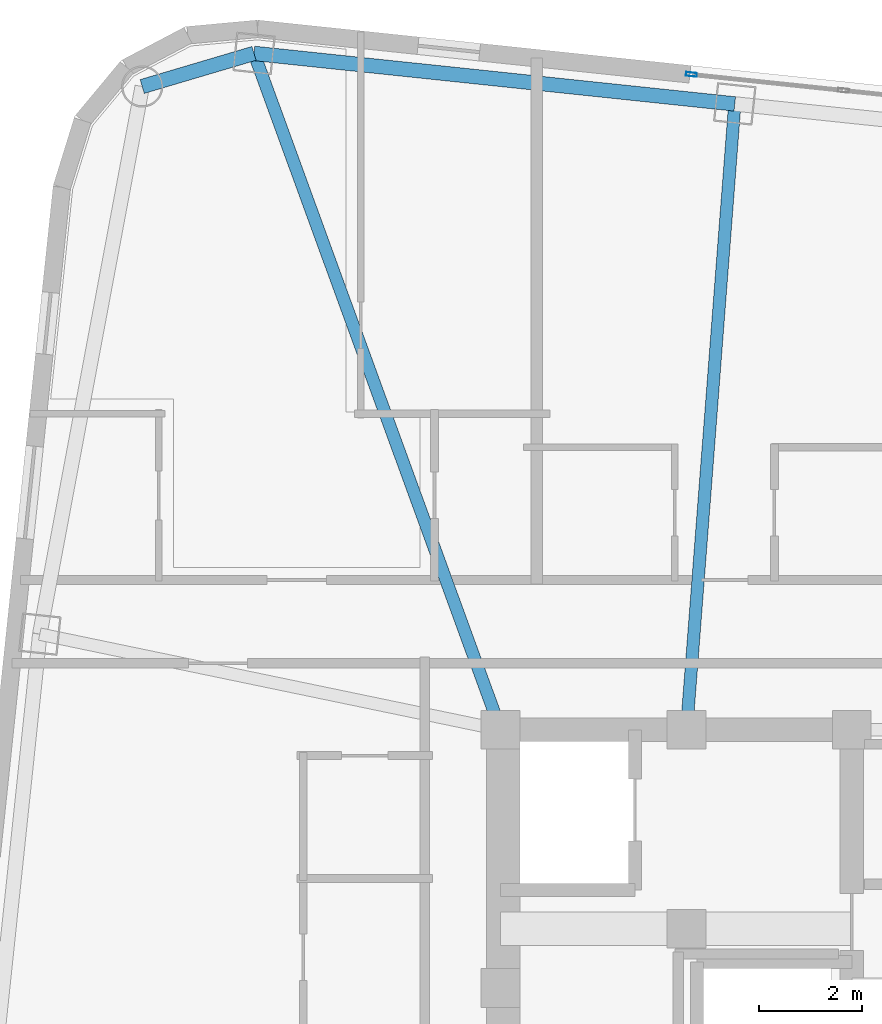
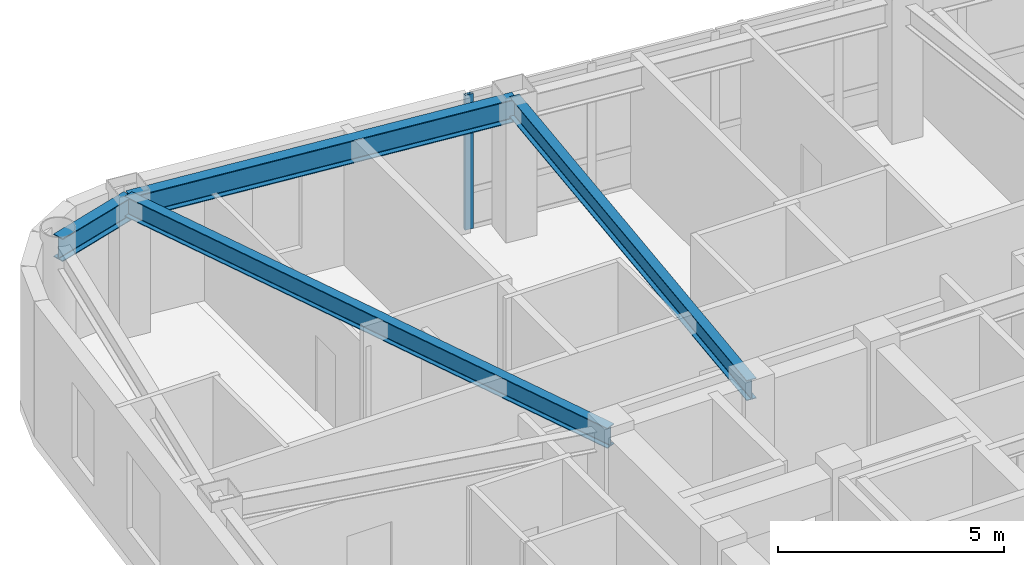
# One storey, part 2 of 16: 4 beams, 1 member, 1 element without a shape of its own.
"""IFC4 building model written with IfcOpenShell, lengths in metres."""

import ifcopenshell
import ifcopenshell.guid

model = None  # the IFC model being written
_history = None  # IfcOwnerHistory: only IFC2X3 demands one
_inside = {}  # id of a spatial element -> (the spatial element, [elements in it])
_under = {}  # id of a project, library or spatial element -> (it, [spatial elements below it])
_declared = {}  # id of a project -> (the project, [libraries it declares])
_typed = {}  # id of a type object -> (the type object, [elements of that type])
_made_of = {}  # id of a material, layer set ... -> (it, [elements and type objects made of it])


def new_model(schema):
    """Start an empty IFC model of exactly this schema.

    Asked for "IFC4X3", IfcOpenShell would pick the latest addendum, in which some entities
    have other attributes; the version numbers below select the first issue.
    IFC2X3 requires an IfcOwnerHistory on every rooted entity: one is made here for all.
    """
    global model, _history
    if schema == "IFC4X3":
        model = ifcopenshell.file(schema_version=(4, 3, 0, 0))
    else:
        model = ifcopenshell.file(schema=schema)
    _inside.clear()
    _under.clear()
    _declared.clear()
    _typed.clear()
    _made_of.clear()
    _history = None
    if model.schema == "IFC2X3":
        org = make("IfcOrganization", Name="unknown")
        user = make(
            "IfcPersonAndOrganization",
            ThePerson=make("IfcPerson", FamilyName="unknown"),
            TheOrganization=org,
        )
        app = make(
            "IfcApplication",
            ApplicationDeveloper=org,
            Version="unknown",
            ApplicationFullName="unknown",
            ApplicationIdentifier="unknown",
        )
        _history = make(
            "IfcOwnerHistory",
            OwningUser=user,
            OwningApplication=app,
            ChangeAction="ADDED",
            CreationDate=0,
        )
    return model


def make(cls, **values):
    """One entity of the class cls with the attributes given. An attribute that is None is left unset."""
    return model.create_entity(
        cls, **{name: value for name, value in values.items() if value is not None}
    )


def rooted(cls, **values):
    """An entity with a GlobalId (a new one), such as an element, a storey or a relation."""
    return make(cls, GlobalId=ifcopenshell.guid.new(), OwnerHistory=_history, **values)


def si_unit(unit_type, name, prefix=None):
    """IfcSIUnit, for example si_unit("LENGTHUNIT", "METRE", prefix="MILLI")."""
    return make("IfcSIUnit", UnitType=unit_type, Prefix=prefix, Name=name)


def assignment(units):
    """IfcUnitAssignment: the units of a project."""
    return None if units is None else make("IfcUnitAssignment", Units=units)


def point(xyz):
    """IfcCartesianPoint."""
    return None if xyz is None else make("IfcCartesianPoint", Coordinates=xyz)


def direction(xyz):
    """IfcDirection."""
    return None if xyz is None else make("IfcDirection", DirectionRatios=xyz)


def frame(location, z_axis=None, x_axis=None):
    """IfcAxis2Placement3D, a coordinate frame: its origin and axes. An axis left out is left unset."""
    return make(
        "IfcAxis2Placement3D",
        Location=point(location),
        Axis=direction(z_axis),
        RefDirection=direction(x_axis),
    )


def frame_2d(location, x_axis=None):
    """IfcAxis2Placement2D, a coordinate frame in the plane: its origin and x axis."""
    return make(
        "IfcAxis2Placement2D", Location=point(location), RefDirection=direction(x_axis)
    )


def origin():
    """The frame at (0, 0, 0) with its axes left unset."""
    return frame((0.0, 0.0, 0.0))


def origin_2d():
    """The frame at (0, 0) in the plane with its x axis left unset."""
    return frame_2d((0.0, 0.0))


def place(relative_to, where):
    """IfcLocalPlacement: puts the frame where relative to a parent placement (None: the world)."""
    return make(
        "IfcLocalPlacement", PlacementRelTo=relative_to, RelativePlacement=where
    )


def context(
    kind, dimensions, precision=None, world=None, true_north=None, identifier=None
):
    """IfcGeometricRepresentationContext, for example the 3D "Model" context."""
    return make(
        "IfcGeometricRepresentationContext",
        ContextIdentifier=identifier,
        ContextType=kind,
        CoordinateSpaceDimension=dimensions,
        Precision=precision,
        WorldCoordinateSystem=world,
        TrueNorth=true_north,
    )


def subcontext(parent, identifier, kind, view, scale=None):
    """IfcGeometricRepresentationSubContext, for example "Body" below "Model"."""
    return make(
        "IfcGeometricRepresentationSubContext",
        ContextIdentifier=identifier,
        ContextType=kind,
        ParentContext=parent,
        TargetScale=scale,
        TargetView=view,
    )


def project(units=None, contexts=None):
    """IfcProject with its units and contexts."""
    return rooted(
        "IfcProject",
        Name="project",
        RepresentationContexts=contexts,
        UnitsInContext=assignment(units),
    )


def spatial(cls, under=None, at=None, **own):
    """A site, building, storey or space (cls), placed at a placement, below another one or the project."""
    s = rooted(cls, ObjectPlacement=at, **own)
    if under is not None:
        _under.setdefault(under.id(), (under, []))[1].append(s)
    return s


def profile(cls, at=None, kind="AREA", **sizes):
    """A parametric profile (cls). Its sizes go by their IFC names, for example OverallWidth=200.0."""
    return make(cls, ProfileType=kind, Position=at, **sizes)


def hollow_rectangle(**sizes):
    """IfcRectangleHollowProfileDef."""
    return profile("IfcRectangleHollowProfileDef", **sizes)


def i_section(**sizes):
    """IfcIShapeProfileDef."""
    return profile("IfcIShapeProfileDef", **sizes)


def extrude(swept, where, along, depth):
    """IfcExtrudedAreaSolid: the profile swept, set in the frame where, extruded along a direction by depth."""
    return make(
        "IfcExtrudedAreaSolid",
        SweptArea=swept,
        Position=where,
        ExtrudedDirection=direction(along),
        Depth=depth,
    )


def shape(context_of_items, identifier, shape_type, items):
    """IfcShapeRepresentation: the items that make up one representation, for example the "Body"."""
    return make(
        "IfcShapeRepresentation",
        ContextOfItems=context_of_items,
        RepresentationIdentifier=identifier,
        RepresentationType=shape_type,
        Items=items,
    )


def material(Name=None, Category=None):
    """IfcMaterial."""
    return make("IfcMaterial", Name=Name, Category=Category)


def layer(
    of_material, thickness, ventilated=None, Name=None, Category=None, Priority=None
):
    """IfcMaterialLayer: one layer of a wall or slab, of a material (None: an air gap)."""
    return make(
        "IfcMaterialLayer",
        Material=of_material,
        LayerThickness=thickness,
        IsVentilated=ventilated,
        Name=Name,
        Category=Category,
        Priority=Priority,
    )


def layer_set(layers, Name=None):
    """IfcMaterialLayerSet."""
    return make("IfcMaterialLayerSet", MaterialLayers=layers, LayerSetName=Name)


def material_profile(
    of_material, cross_section, Name=None, Category=None, Priority=None
):
    """IfcMaterialProfile: a cross section and its material."""
    return make(
        "IfcMaterialProfile",
        Name=Name,
        Material=of_material,
        Profile=cross_section,
        Priority=Priority,
        Category=Category,
    )


def profile_set(profiles, Name=None, composite=None):
    """IfcMaterialProfileSet."""
    return make(
        "IfcMaterialProfileSet",
        Name=Name,
        MaterialProfiles=profiles,
        CompositeProfile=composite,
    )


def made_of(thing, what):
    """Note that an element or type object is made of a material, layer set ...; save() writes the relation."""
    if what is not None:
        _made_of.setdefault(what.id(), (what, []))[1].append(thing)
    return thing


def type_object(cls, material=None, **own):
    """A type object (cls), such as IfcWallType, which elements share."""
    return made_of(rooted(cls, **own), material)


def element(
    cls,
    number,
    at=None,
    inside=None,
    cuts=None,
    type_object=None,
    material=None,
    context=None,
    identifier="Body",
    shape_type=None,
    held_by="IfcProductDefinitionShape",
    body=None,
    shapes=None,
    **own,
):
    """One element of the class cls, such as IfcWall. Its Tag is "e" and its number.

    at: its placement. inside: the storey or other place that contains it. cuts: it is an
    opening in that element (IfcRelVoidsElement). A single representation is given by context,
    identifier, shape_type and body (its items); several are given by shapes. held_by: the class
    of the entity that holds the representations. save() writes the other relations.
    """
    e = rooted(cls, Tag="e%d" % number, ObjectPlacement=at, **own)
    if body is not None:
        shapes = [shape(context, identifier, shape_type, body)]
    if shapes is not None:
        e.Representation = make(held_by, Representations=shapes)
    if inside is not None:
        _inside.setdefault(inside.id(), (inside, []))[1].append(e)
    if cuts is not None:
        rooted(
            "IfcRelVoidsElement", RelatingBuildingElement=cuts, RelatedOpeningElement=e
        )
    if type_object is not None:
        _typed.setdefault(type_object.id(), (type_object, []))[1].append(e)
    return made_of(e, material)


def aggregate(whole, parts):
    """IfcRelAggregates: a whole, such as a stair, and the parts it consists of."""
    return rooted("IfcRelAggregates", RelatingObject=whole, RelatedObjects=parts)


def save(model, path):
    """Write the relations noted so far, then the file.

    IfcRelAggregates (storeys below a building ...), IfcRelContainedInSpatialStructure (elements
    in a storey), IfcRelDefinesByType, IfcRelAssociatesMaterial and IfcRelDeclares: one each for
    every whole, place, type object, material and project.
    """
    for whole, parts in _under.values():
        aggregate(whole, parts)
    for where, things in _inside.values():
        rooted(
            "IfcRelContainedInSpatialStructure",
            RelatedElements=things,
            RelatingStructure=where,
        )
    for kind, things in _typed.values():
        rooted("IfcRelDefinesByType", RelatedObjects=things, RelatingType=kind)
    for what, things in _made_of.values():
        rooted("IfcRelAssociatesMaterial", RelatedObjects=things, RelatingMaterial=what)
    for by, libraries in _declared.values():
        rooted("IfcRelDeclares", RelatingContext=by, RelatedDefinitions=libraries)
    model.write(path)


model = new_model("IFC4")

# Units and contexts
model_context = context("Model", 3, precision=1e-05, world=origin(), true_north=direction((0.0, 1.0)))
body_context = subcontext(model_context, "Body", "Model", "MODEL_VIEW")
ifc_project = project(units=[si_unit("LENGTHUNIT", "METRE"), si_unit("AREAUNIT", "SQUARE_METRE"), si_unit("VOLUMEUNIT", "CUBIC_METRE"), si_unit("PLANEANGLEUNIT", "RADIAN"), si_unit("MASSUNIT", "GRAM", prefix="KILO")], contexts=[model_context])

# Site, building, storey
site_placement = place(None, origin())
site = spatial("IfcSite", under=ifc_project, at=site_placement, CompositionType="ELEMENT")
building_placement = place(site_placement, origin())
building = spatial("IfcBuilding", under=site, at=building_placement, Name="Voryun Gate Residences", CompositionType="ELEMENT")
storey_placement = place(building_placement, frame((0.0, 0.0, 267.800048828125)))
storey = spatial("IfcBuildingStorey", under=building, at=storey_placement, Name="L66", CompositionType="ELEMENT", Elevation=267.800048828125)

# Beams
ifc_material_1 = material(Name="Steel SM355", Category="steel")
ifc_material_profile_1 = material_profile(ifc_material_1, i_section(OverallWidth=0.280029296875, OverallDepth=0.6201171875, WebThickness=0.013916015625, FlangeThickness=0.02197265625, FilletRadius=0.01806640625, at=origin_2d()), Name="H-620x280x14x22")
ifc_profile_set_1 = profile_set([ifc_material_profile_1], Name="Steel SM355")
beam_type_1 = type_object("IfcBeamType", Name="BM_EXO_SPANDREL_H", PredefinedType="SPANDREL", material=ifc_profile_set_1)
beam_1_placement = place(storey_placement, frame((-14.666015625, 19.51806640625, 3.33984375), z_axis=(-0.994520307047, 0.104543574031, 0.0), x_axis=(-0.104543574031, -0.994520307047, 0.0)))
element("IfcBeam", 1, at=beam_1_placement, inside=storey, type_object=beam_type_1, Name="BM-L66-SPAND-15", PredefinedType="SPANDREL", context=body_context, shape_type="SweptSolid", body=[
    extrude(i_section(OverallWidth=0.280029296875, OverallDepth=0.6201171875, WebThickness=0.013916015625, FlangeThickness=0.02197265625, FilletRadius=0.01806640625, at=origin_2d()), origin(), (0.0, 0.0, 1.0), 9.35986328125),
])
beam_2_placement = place(storey_placement, frame((-23.974609375, 20.49658203125, 3.33984375), z_axis=(-0.958805748412, -0.28406255792, 0.0), x_axis=(0.28406255792, -0.958805748412, 0.0)))
element("IfcBeam", 2, at=beam_2_placement, inside=storey, type_object=beam_type_1, Name="BM-L66-SPAND-16", PredefinedType="SPANDREL", context=body_context, shape_type="SweptSolid", body=[
    extrude(i_section(OverallWidth=0.280029296875, OverallDepth=0.6201171875, WebThickness=0.013916015625, FlangeThickness=0.02197265625, FilletRadius=0.01806640625, at=origin_2d()), origin(), (0.0, 0.0, 1.0), 2.2578125),
])
ifc_material_2 = material(Name="Steel SM355", Category="steel")
ifc_material_profile_2 = material_profile(ifc_material_2, i_section(OverallWidth=0.239990234375, OverallDepth=0.550048828125, WebThickness=0.011962890625, FlangeThickness=0.02001953125, FilletRadius=0.01806640625, at=origin_2d()), Name="H-550x240x12x20")
ifc_profile_set_2 = profile_set([ifc_material_profile_2], Name="Steel SM355")
beam_type_2 = type_object("IfcBeamType", Name="BM_GIRD_550", PredefinedType="USERDEFINED", material=ifc_profile_set_2)
beam_3_placement = place(storey_placement, frame((-15.60009765625, 7.39990234375, 3.375), z_axis=(0.07685317718, 0.997042420942, 0.0), x_axis=(-0.997042420942, 0.07685317718, 0.0)))
element("IfcBeam", 3, at=beam_3_placement, inside=storey, type_object=beam_type_2, Name="BM-L66-RAD-N5", ObjectType="GIRDER", PredefinedType="USERDEFINED", context=body_context, shape_type="SweptSolid", body=[
    extrude(i_section(OverallWidth=0.239990234375, OverallDepth=0.550048828125, WebThickness=0.011962890625, FlangeThickness=0.02001953125, FilletRadius=0.01806640625, at=origin_2d()), origin(), (0.0, 0.0, 1.0), 12.154052734375),
])
beam_4_placement = place(storey_placement, frame((-19.199951171875, 7.39990234375, 3.375), z_axis=(-0.342517773666, 0.939511348906, 0.0), x_axis=(-0.939511348906, -0.342517773666, 0.0)))
element("IfcBeam", 4, at=beam_4_placement, inside=storey, type_object=beam_type_2, Name="BM-L66-RAD-N6", ObjectType="GIRDER", PredefinedType="USERDEFINED", context=body_context, shape_type="SweptSolid", body=[
    extrude(i_section(OverallWidth=0.239990234375, OverallDepth=0.550048828125, WebThickness=0.011962890625, FlangeThickness=0.02001953125, FilletRadius=0.01806640625, at=origin_2d()), origin(), (0.0, 0.0, 1.0), 13.93994140625),
])

# Curtain wall, member
ifc_material_3 = material(Name="Anodised aluminium", Category="aluminium")
ifc_layer = layer(ifc_material_3, 0.2099609375, Name="CW_SYS_SKYGARDEN_DARK_GLASS")
ifc_layer_set = layer_set([ifc_layer], Name="Anodised aluminium")
curtain_wall_type = type_object("IfcCurtainWallType", Name="CW_SYS_SKYGARDEN_DARK_GLASS", PredefinedType="NOTDEFINED", material=ifc_layer_set)
curtain_wall_placement = place(storey_placement, origin())
curtain_wall = element("IfcCurtainWall", 5, at=curtain_wall_placement, inside=storey, type_object=curtain_wall_type, Name="Curtain wall CW5-L66-SG-11", PredefinedType="NOTDEFINED")
ifc_material_4 = material(Name="Anodised aluminium", Category="aluminium")
ifc_material_profile_3 = material_profile(ifc_material_4, hollow_rectangle(XDim=0.074951171875, YDim=0.2099609375, WallThickness=0.0048828125, at=origin_2d()), Name="ALU-MULL-210x75x5")
ifc_profile_set_3 = profile_set([ifc_material_profile_3], Name="Anodised aluminium")
member_type = type_object("IfcMemberType", Name="CW_MULL_SKY", PredefinedType="MULLION", material=ifc_profile_set_3)
member_placement = place(storey_placement, frame((-15.506103515625, 20.089111328125, 0.0), z_axis=(0.0, 0.0, 1.0), x_axis=(0.104532256285, 0.994521496699, 0.0)))
member = element("IfcMember", 6, at=member_placement, type_object=member_type, Name="CW5 mullion 1", PredefinedType="MULLION", context=body_context, shape_type="SweptSolid", body=[
    extrude(hollow_rectangle(XDim=0.074951171875, YDim=0.2099609375, WallThickness=0.0048828125, at=origin_2d()), origin(), (0.0, 0.0, 1.0), 3.64990234375),
])
aggregate(curtain_wall, [member])

save(model, "model.ifc")
